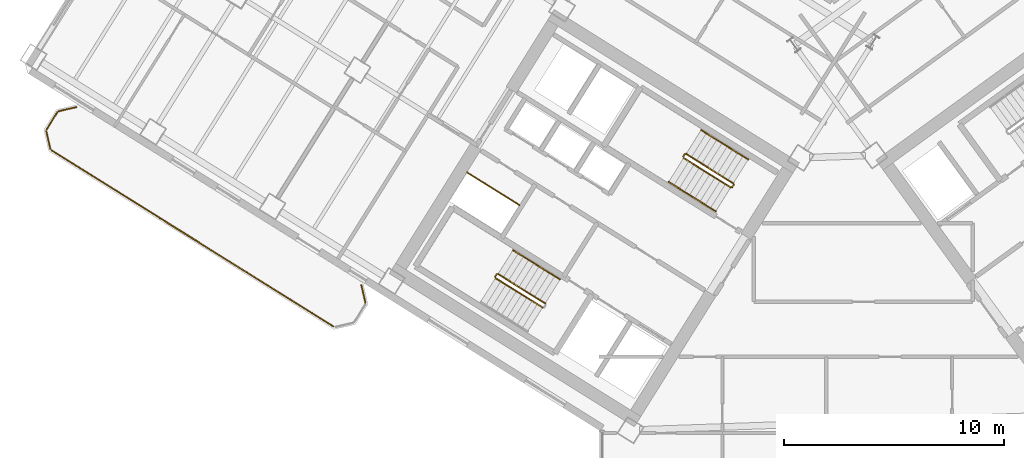
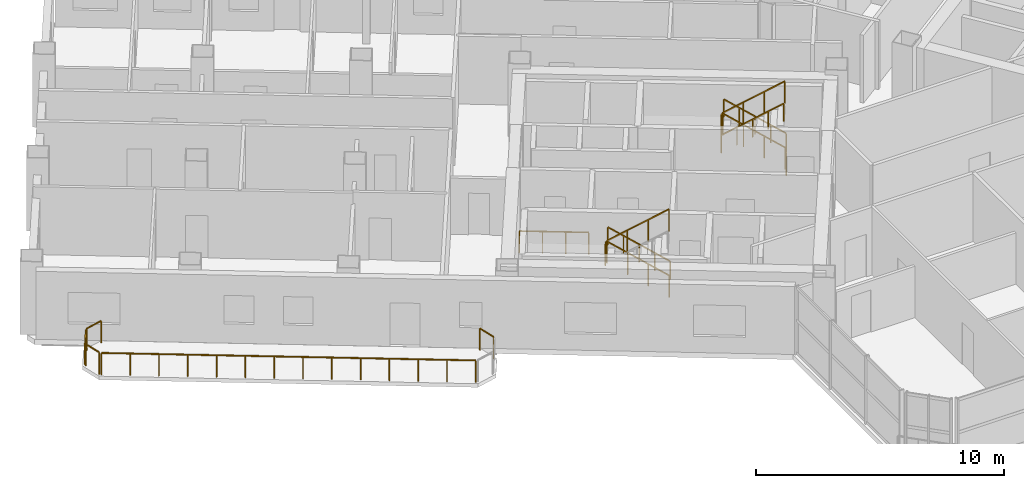
# One storey, part 18 of 20: 19 railings.
"""IFC4 building model written with IfcOpenShell, lengths in metres."""

import ifcopenshell
import ifcopenshell.guid

model = None  # the IFC model being written
_history = None  # IfcOwnerHistory: only IFC2X3 demands one
_inside = {}  # id of a spatial element -> (the spatial element, [elements in it])
_under = {}  # id of a project, library or spatial element -> (it, [spatial elements below it])
_declared = {}  # id of a project -> (the project, [libraries it declares])
_typed = {}  # id of a type object -> (the type object, [elements of that type])
_made_of = {}  # id of a material, layer set ... -> (it, [elements and type objects made of it])


def new_model(schema):
    """Start an empty IFC model of exactly this schema.

    Asked for "IFC4X3", IfcOpenShell would pick the latest addendum, in which some entities
    have other attributes; the version numbers below select the first issue.
    IFC2X3 requires an IfcOwnerHistory on every rooted entity: one is made here for all.
    """
    global model, _history
    if schema == "IFC4X3":
        model = ifcopenshell.file(schema_version=(4, 3, 0, 0))
    else:
        model = ifcopenshell.file(schema=schema)
    _inside.clear()
    _under.clear()
    _declared.clear()
    _typed.clear()
    _made_of.clear()
    _history = None
    if model.schema == "IFC2X3":
        org = make("IfcOrganization", Name="unknown")
        user = make(
            "IfcPersonAndOrganization",
            ThePerson=make("IfcPerson", FamilyName="unknown"),
            TheOrganization=org,
        )
        app = make(
            "IfcApplication",
            ApplicationDeveloper=org,
            Version="unknown",
            ApplicationFullName="unknown",
            ApplicationIdentifier="unknown",
        )
        _history = make(
            "IfcOwnerHistory",
            OwningUser=user,
            OwningApplication=app,
            ChangeAction="ADDED",
            CreationDate=0,
        )
    return model


def make(cls, **values):
    """One entity of the class cls with the attributes given. An attribute that is None is left unset."""
    return model.create_entity(
        cls, **{name: value for name, value in values.items() if value is not None}
    )


def rooted(cls, **values):
    """An entity with a GlobalId (a new one), such as an element, a storey or a relation."""
    return make(cls, GlobalId=ifcopenshell.guid.new(), OwnerHistory=_history, **values)


def si_unit(unit_type, name, prefix=None):
    """IfcSIUnit, for example si_unit("LENGTHUNIT", "METRE", prefix="MILLI")."""
    return make("IfcSIUnit", UnitType=unit_type, Prefix=prefix, Name=name)


def assignment(units):
    """IfcUnitAssignment: the units of a project."""
    return None if units is None else make("IfcUnitAssignment", Units=units)


def point(xyz):
    """IfcCartesianPoint."""
    return None if xyz is None else make("IfcCartesianPoint", Coordinates=xyz)


def direction(xyz):
    """IfcDirection."""
    return None if xyz is None else make("IfcDirection", DirectionRatios=xyz)


def frame(location, z_axis=None, x_axis=None):
    """IfcAxis2Placement3D, a coordinate frame: its origin and axes. An axis left out is left unset."""
    return make(
        "IfcAxis2Placement3D",
        Location=point(location),
        Axis=direction(z_axis),
        RefDirection=direction(x_axis),
    )


def frame_2d(location, x_axis=None):
    """IfcAxis2Placement2D, a coordinate frame in the plane: its origin and x axis."""
    return make(
        "IfcAxis2Placement2D", Location=point(location), RefDirection=direction(x_axis)
    )


def origin():
    """The frame at (0, 0, 0) with its axes left unset."""
    return frame((0.0, 0.0, 0.0))


def origin_2d():
    """The frame at (0, 0) in the plane with its x axis left unset."""
    return frame_2d((0.0, 0.0))


def place(relative_to, where):
    """IfcLocalPlacement: puts the frame where relative to a parent placement (None: the world)."""
    return make(
        "IfcLocalPlacement", PlacementRelTo=relative_to, RelativePlacement=where
    )


def context(
    kind, dimensions, precision=None, world=None, true_north=None, identifier=None
):
    """IfcGeometricRepresentationContext, for example the 3D "Model" context."""
    return make(
        "IfcGeometricRepresentationContext",
        ContextIdentifier=identifier,
        ContextType=kind,
        CoordinateSpaceDimension=dimensions,
        Precision=precision,
        WorldCoordinateSystem=world,
        TrueNorth=true_north,
    )


def subcontext(parent, identifier, kind, view, scale=None):
    """IfcGeometricRepresentationSubContext, for example "Body" below "Model"."""
    return make(
        "IfcGeometricRepresentationSubContext",
        ContextIdentifier=identifier,
        ContextType=kind,
        ParentContext=parent,
        TargetScale=scale,
        TargetView=view,
    )


def project(units=None, contexts=None):
    """IfcProject with its units and contexts."""
    return rooted(
        "IfcProject",
        Name="project",
        RepresentationContexts=contexts,
        UnitsInContext=assignment(units),
    )


def spatial(cls, under=None, at=None, **own):
    """A site, building, storey or space (cls), placed at a placement, below another one or the project."""
    s = rooted(cls, ObjectPlacement=at, **own)
    if under is not None:
        _under.setdefault(under.id(), (under, []))[1].append(s)
    return s


def profile(cls, at=None, kind="AREA", **sizes):
    """A parametric profile (cls). Its sizes go by their IFC names, for example OverallWidth=200.0."""
    return make(cls, ProfileType=kind, Position=at, **sizes)


def rectangle(**sizes):
    """IfcRectangleProfileDef."""
    return profile("IfcRectangleProfileDef", **sizes)


def extrude(swept, where, along, depth):
    """IfcExtrudedAreaSolid: the profile swept, set in the frame where, extruded along a direction by depth."""
    return make(
        "IfcExtrudedAreaSolid",
        SweptArea=swept,
        Position=where,
        ExtrudedDirection=direction(along),
        Depth=depth,
    )


def shape(context_of_items, identifier, shape_type, items):
    """IfcShapeRepresentation: the items that make up one representation, for example the "Body"."""
    return make(
        "IfcShapeRepresentation",
        ContextOfItems=context_of_items,
        RepresentationIdentifier=identifier,
        RepresentationType=shape_type,
        Items=items,
    )


def source(mapping_origin, context_of_items, identifier, shape_type, items):
    """IfcRepresentationMap: a shape defined once, which mapped items show again and again."""
    return make(
        "IfcRepresentationMap",
        MappingOrigin=mapping_origin,
        MappedRepresentation=shape(context_of_items, identifier, shape_type, items),
    )


def transform(
    local_origin,
    x_axis=None,
    y_axis=None,
    z_axis=None,
    scale=None,
    scale2=None,
    scale3=None,
    uniform=True,
):
    """IfcCartesianTransformationOperator3D, or its non-uniform kind. x_axis, y_axis, z_axis: its Axis1, 2, 3."""
    if uniform:
        return make(
            "IfcCartesianTransformationOperator3D",
            Axis1=direction(x_axis),
            Axis2=direction(y_axis),
            LocalOrigin=point(local_origin),
            Scale=scale,
            Axis3=direction(z_axis),
        )
    return make(
        "IfcCartesianTransformationOperator3DnonUniform",
        Axis1=direction(x_axis),
        Axis2=direction(y_axis),
        LocalOrigin=point(local_origin),
        Scale=scale,
        Axis3=direction(z_axis),
        Scale2=scale2,
        Scale3=scale3,
    )


def mapped(mapping_source, mapping_target):
    """IfcMappedItem: shows the shape of a source again, moved by a transform."""
    return make(
        "IfcMappedItem", MappingSource=mapping_source, MappingTarget=mapping_target
    )


def material(Name=None, Category=None):
    """IfcMaterial."""
    return make("IfcMaterial", Name=Name, Category=Category)


def made_of(thing, what):
    """Note that an element or type object is made of a material, layer set ...; save() writes the relation."""
    if what is not None:
        _made_of.setdefault(what.id(), (what, []))[1].append(thing)
    return thing


def type_object(cls, material=None, **own):
    """A type object (cls), such as IfcWallType, which elements share."""
    return made_of(rooted(cls, **own), material)


def element(
    cls,
    number,
    at=None,
    inside=None,
    cuts=None,
    type_object=None,
    material=None,
    context=None,
    identifier="Body",
    shape_type=None,
    held_by="IfcProductDefinitionShape",
    body=None,
    shapes=None,
    **own,
):
    """One element of the class cls, such as IfcWall. Its Tag is "e" and its number.

    at: its placement. inside: the storey or other place that contains it. cuts: it is an
    opening in that element (IfcRelVoidsElement). A single representation is given by context,
    identifier, shape_type and body (its items); several are given by shapes. held_by: the class
    of the entity that holds the representations. save() writes the other relations.
    """
    e = rooted(cls, Tag="e%d" % number, ObjectPlacement=at, **own)
    if body is not None:
        shapes = [shape(context, identifier, shape_type, body)]
    if shapes is not None:
        e.Representation = make(held_by, Representations=shapes)
    if inside is not None:
        _inside.setdefault(inside.id(), (inside, []))[1].append(e)
    if cuts is not None:
        rooted(
            "IfcRelVoidsElement", RelatingBuildingElement=cuts, RelatedOpeningElement=e
        )
    if type_object is not None:
        _typed.setdefault(type_object.id(), (type_object, []))[1].append(e)
    return made_of(e, material)


def aggregate(whole, parts):
    """IfcRelAggregates: a whole, such as a stair, and the parts it consists of."""
    return rooted("IfcRelAggregates", RelatingObject=whole, RelatedObjects=parts)


def save(model, path):
    """Write the relations noted so far, then the file.

    IfcRelAggregates (storeys below a building ...), IfcRelContainedInSpatialStructure (elements
    in a storey), IfcRelDefinesByType, IfcRelAssociatesMaterial and IfcRelDeclares: one each for
    every whole, place, type object, material and project.
    """
    for whole, parts in _under.values():
        aggregate(whole, parts)
    for where, things in _inside.values():
        rooted(
            "IfcRelContainedInSpatialStructure",
            RelatedElements=things,
            RelatingStructure=where,
        )
    for kind, things in _typed.values():
        rooted("IfcRelDefinesByType", RelatedObjects=things, RelatingType=kind)
    for what, things in _made_of.values():
        rooted("IfcRelAssociatesMaterial", RelatedObjects=things, RelatingMaterial=what)
    for by, libraries in _declared.values():
        rooted("IfcRelDeclares", RelatingContext=by, RelatedDefinitions=libraries)
    model.write(path)


model = new_model("IFC4")

# Units and contexts
model_context = context("Model", 3, precision=1e-05, world=origin(), true_north=direction((0.0, 1.0)))
body_context = subcontext(model_context, "Body", "Model", "MODEL_VIEW")
ifc_project = project(units=[si_unit("LENGTHUNIT", "METRE"), si_unit("AREAUNIT", "SQUARE_METRE"), si_unit("VOLUMEUNIT", "CUBIC_METRE"), si_unit("PLANEANGLEUNIT", "RADIAN"), si_unit("MASSUNIT", "GRAM", prefix="KILO")], contexts=[model_context])

# Site, building, storey
site_placement = place(None, origin())
site = spatial("IfcSite", under=ifc_project, at=site_placement, CompositionType="ELEMENT")
building_placement = place(site_placement, origin())
building = spatial("IfcBuilding", under=site, at=building_placement, Name="Tlacorven Tower", CompositionType="ELEMENT")
storey_placement = place(building_placement, frame((0.0, 0.0, 116.10009765625)))
storey = spatial("IfcBuildingStorey", under=building, at=storey_placement, Name="L29", CompositionType="ELEMENT", Elevation=116.10009765625)

# Railings
ifc_material = material(Name="Aluminium and painted steel balustrade", Category="steel")
railing_type_1 = type_object("IfcRailingType", Name="RL-GRD-1100", PredefinedType="GUARDRAIL", material=ifc_material)
shared_shape_1 = source(origin(), body_context, "Body", "SweptSolid", [
    extrude(rectangle(XDim=0.048095703125, YDim=0.048095703125, at=origin_2d()), frame((0.0, 0.0, 1.076171875), z_axis=(-0.848091358275, 0.529850024081, 0.0), x_axis=(-0.529850024081, -0.848091358275, 0.0)), (0.0, 0.0, 1.0), 2.800048828125),
    extrude(rectangle(XDim=0.0419921875, YDim=0.0419921875, at=origin_2d()), origin(), (0.0, 0.0, 1.0), 1.052001953125),
    extrude(rectangle(XDim=0.0419921875, YDim=0.0419921875, at=origin_2d()), frame((-0.79150390625, 0.49462890625, 0.0)), (0.0, 0.0, 1.0), 1.052001953125),
    extrude(rectangle(XDim=0.0419921875, YDim=0.0419921875, at=origin_2d()), frame((-1.583251953125, 0.989013671875, 0.0)), (0.0, 0.0, 1.0), 1.052001953125),
    extrude(rectangle(XDim=0.0419921875, YDim=0.0419921875, at=origin_2d()), frame((-2.374755859375, 1.483642578125, 0.0)), (0.0, 0.0, 1.0), 1.052001953125),
])
railing_1_placement = place(storey_placement, frame((27.9912109375, 22.32080078125, 0.0)))
element("IfcRailing", 1, at=railing_1_placement, inside=storey, type_object=railing_type_1, Name="L29 Electrical Riser W Shaft Guard 1", PredefinedType="GUARDRAIL", context=body_context, shape_type="MappedRepresentation", body=[
    mapped(shared_shape_1, transform((0.0, 0.0, 0.0), scale=1.0)),
])
railing_type_2 = type_object("IfcRailingType", Name="RL-BAL-1100", PredefinedType="BALUSTRADE", material=ifc_material)
shared_shape_2 = source(origin(), body_context, "Body", "SweptSolid", [
    extrude(rectangle(XDim=0.048095703125, YDim=0.048095703125, at=origin_2d()), frame((0.0, 0.0, 1.076171875), z_axis=(0.225058334816, -0.974345290916, 0.0), x_axis=(0.974345290916, 0.225058334816, 0.0)), (0.0, 0.0, 1.0), 0.80712890625),
    extrude(rectangle(XDim=0.0419921875, YDim=0.0419921875, at=origin_2d()), origin(), (0.0, 0.0, 1.0), 1.052001953125),
    extrude(rectangle(XDim=0.0419921875, YDim=0.0419921875, at=origin_2d()), frame((0.181640625, -0.786376953125, 0.0)), (0.0, 0.0, 1.0), 1.052001953125),
])
railing_2_placement = place(storey_placement, frame((20.809814453125, 18.671142578125, 0.0)))
element("IfcRailing", 2, at=railing_2_placement, inside=storey, type_object=railing_type_2, Name="BAL-L29-W-OUT Guard Railing 1", PredefinedType="BALUSTRADE", context=body_context, shape_type="MappedRepresentation", body=[
    mapped(shared_shape_2, transform((0.0, 0.0, 0.0), scale=1.0)),
])
shared_shape_3 = source(origin(), body_context, "Body", "SweptSolid", [
    extrude(rectangle(XDim=0.048095703125, YDim=0.048095703125, at=origin_2d()), frame((0.0, 0.0, 1.076171875), z_axis=(-0.225058334816, 0.974345290916, 0.0), x_axis=(-0.974345290916, -0.225058334816, 0.0)), (0.0, 0.0, 1.0), 0.80712890625),
    extrude(rectangle(XDim=0.0419921875, YDim=0.0419921875, at=origin_2d()), origin(), (0.0, 0.0, 1.0), 1.052001953125),
    extrude(rectangle(XDim=0.0419921875, YDim=0.0419921875, at=origin_2d()), frame((-0.181640625, 0.786376953125, 0.0)), (0.0, 0.0, 1.0), 1.052001953125),
])
railing_3_placement = place(storey_placement, frame((6.66650390625, 24.88623046875, 0.0)))
element("IfcRailing", 3, at=railing_3_placement, inside=storey, type_object=railing_type_2, Name="BAL-L29-W-OUT Guard Railing 5", PredefinedType="BALUSTRADE", context=body_context, shape_type="MappedRepresentation", body=[
    mapped(shared_shape_3, transform((0.0, 0.0, 0.0), scale=1.0)),
])
shared_shape_4 = source(origin(), body_context, "Body", "SweptSolid", [
    extrude(rectangle(XDim=0.048095703125, YDim=0.048095703125, at=origin_2d()), frame((0.0, 0.0, 1.076171875), z_axis=(0.974411586182, 0.224771129628, 0.0), x_axis=(-0.224771129628, 0.974411586182, 0.0)), (0.0, 0.0, 1.0), 0.80712890625),
    extrude(rectangle(XDim=0.0419921875, YDim=0.0419921875, at=origin_2d()), origin(), (0.0, 0.0, 1.0), 1.052001953125),
    extrude(rectangle(XDim=0.0419921875, YDim=0.0419921875, at=origin_2d()), frame((0.786376953125, 0.181396484375, 0.0)), (0.0, 0.0, 1.0), 1.052001953125),
])
railing_4_placement = place(storey_placement, frame((7.05859375, 26.591064453125, 0.0)))
element("IfcRailing", 4, at=railing_4_placement, inside=storey, type_object=railing_type_2, Name="BAL-L29-W-OUT Guard Railing 7", PredefinedType="BALUSTRADE", context=body_context, shape_type="MappedRepresentation", body=[
    mapped(shared_shape_4, transform((0.0, 0.0, 0.0), scale=1.0)),
])
shared_shape_5 = source(origin(), body_context, "Body", "SweptSolid", [
    extrude(rectangle(XDim=0.048095703125, YDim=0.048095703125, at=origin_2d()), frame((0.0, 0.0, 1.076171875), z_axis=(0.529998940003, 0.847998304005, 0.0), x_axis=(-0.847998304005, 0.529998940003, 0.0)), (0.0, 0.0, 1.0), 0.912109375),
    extrude(rectangle(XDim=0.0419921875, YDim=0.0419921875, at=origin_2d()), origin(), (0.0, 0.0, 1.0), 1.052001953125),
    extrude(rectangle(XDim=0.0419921875, YDim=0.0419921875, at=origin_2d()), frame((0.4833984375, 0.7734375, 0.0)), (0.0, 0.0, 1.0), 1.052001953125),
])
railing_5_placement = place(storey_placement, frame((6.5, 25.763916015625, 0.0)))
element("IfcRailing", 5, at=railing_5_placement, inside=storey, type_object=railing_type_2, Name="BAL-L29-W-OUT Guard Railing 6", PredefinedType="BALUSTRADE", context=body_context, shape_type="MappedRepresentation", body=[
    mapped(shared_shape_5, transform((0.0, 0.0, 0.0), scale=1.0)),
])
shared_shape_6 = source(origin(), body_context, "Body", "SweptSolid", [
    extrude(rectangle(XDim=0.048095703125, YDim=0.048095703125, at=origin_2d()), frame((0.0, 0.0, 1.076171875), z_axis=(-0.848051830527, 0.529913287944, 0.0), x_axis=(-0.529913287944, -0.848051830527, 0.0)), (0.0, 0.0, 1.0), 15.1171875),
    extrude(rectangle(XDim=0.0419921875, YDim=0.0419921875, at=origin_2d()), origin(), (0.0, 0.0, 1.0), 1.052001953125),
    extrude(rectangle(XDim=0.0419921875, YDim=0.0419921875, at=origin_2d()), frame((-0.986083984375, 0.6162109375, 0.0)), (0.0, 0.0, 1.0), 1.052001953125),
    extrude(rectangle(XDim=0.0419921875, YDim=0.0419921875, at=origin_2d()), frame((-1.972412109375, 1.232421875, 0.0)), (0.0, 0.0, 1.0), 1.052001953125),
    extrude(rectangle(XDim=0.0419921875, YDim=0.0419921875, at=origin_2d()), frame((-2.95849609375, 1.8486328125, 0.0)), (0.0, 0.0, 1.0), 1.052001953125),
    extrude(rectangle(XDim=0.0419921875, YDim=0.0419921875, at=origin_2d()), frame((-3.944580078125, 2.46484375, 0.0)), (0.0, 0.0, 1.0), 1.052001953125),
    extrude(rectangle(XDim=0.0419921875, YDim=0.0419921875, at=origin_2d()), frame((-4.930908203125, 3.0810546875, 0.0)), (0.0, 0.0, 1.0), 1.052001953125),
    extrude(rectangle(XDim=0.0419921875, YDim=0.0419921875, at=origin_2d()), frame((-5.9169921875, 3.697265625, 0.0)), (0.0, 0.0, 1.0), 1.052001953125),
    extrude(rectangle(XDim=0.0419921875, YDim=0.0419921875, at=origin_2d()), frame((-6.903076171875, 4.3134765625, 0.0)), (0.0, 0.0, 1.0), 1.052001953125),
    extrude(rectangle(XDim=0.0419921875, YDim=0.0419921875, at=origin_2d()), frame((-7.88916015625, 4.9296875, 0.0)), (0.0, 0.0, 1.0), 1.052001953125),
    extrude(rectangle(XDim=0.0419921875, YDim=0.0419921875, at=origin_2d()), frame((-8.87548828125, 5.5458984375, 0.0)), (0.0, 0.0, 1.0), 1.052001953125),
    extrude(rectangle(XDim=0.0419921875, YDim=0.0419921875, at=origin_2d()), frame((-9.861572265625, 6.162109375, 0.0)), (0.0, 0.0, 1.0), 1.052001953125),
    extrude(rectangle(XDim=0.0419921875, YDim=0.0419921875, at=origin_2d()), frame((-10.84765625, 6.7783203125, 0.0)), (0.0, 0.0, 1.0), 1.052001953125),
    extrude(rectangle(XDim=0.0419921875, YDim=0.0419921875, at=origin_2d()), frame((-11.833984375, 7.39453125, 0.0)), (0.0, 0.0, 1.0), 1.052001953125),
    extrude(rectangle(XDim=0.0419921875, YDim=0.0419921875, at=origin_2d()), frame((-12.820068359375, 8.0107421875, 0.0)), (0.0, 0.0, 1.0), 1.052001953125),
])
railing_6_placement = place(storey_placement, frame((19.5400390625, 16.80029296875, 0.0)))
element("IfcRailing", 6, at=railing_6_placement, inside=storey, type_object=railing_type_2, Name="BAL-L29-W-OUT Guard Railing 4", PredefinedType="BALUSTRADE", context=body_context, shape_type="MappedRepresentation", body=[
    mapped(shared_shape_6, transform((0.0, 0.0, 0.0), scale=1.0)),
])
shared_shape_7 = source(origin(), body_context, "Body", "SweptSolid", [
    extrude(rectangle(XDim=0.048095703125, YDim=0.048095703125, at=origin_2d()), frame((0.0, 0.0, 1.076171875), z_axis=(-0.530546985787, -0.847655529016, 0.0), x_axis=(0.847655529016, -0.530546985787, 0.0)), (0.0, 0.0, 1.0), 0.1201171875),
    extrude(rectangle(XDim=0.0419921875, YDim=0.0419921875, at=origin_2d()), origin(), (0.0, 0.0, 1.0), 1.052001953125),
    extrude(rectangle(XDim=0.0419921875, YDim=0.0419921875, at=origin_2d()), frame((-0.063720703125, -0.101806640625, 0.0)), (0.0, 0.0, 1.0), 1.052001953125),
])
for number, where, name in (
    (7, (26.954833984375, 19.17138671875, 1.7998046875), "L29 ST-W1 stair guard 2"),
    (8, (37.728271484375, 23.24072265625, 0.0), "L29 ST-W2 stair guard 4"),
):
    element("IfcRailing", number, at=place(storey_placement, frame(where)), inside=storey, type_object=railing_type_1, Name=name, PredefinedType="GUARDRAIL", context=body_context, shape_type="MappedRepresentation", body=[
        mapped(shared_shape_7, transform((0.0, 0.0, 0.0), scale=1.0)),
    ])
railing_type_3 = type_object("IfcRailingType", Name="RL-HND-0900", PredefinedType="HANDRAIL", material=ifc_material)
shared_shape_8 = source(origin(), body_context, "Body", "SweptSolid", [
    extrude(rectangle(XDim=0.048095703125, YDim=0.048095703125, at=origin_2d()), frame((0.0, 0.0, 0.8759765625), z_axis=(-0.713359751793, 0.4457479829, 0.540764828981), x_axis=(-0.529911857636, -0.848052724267, 0.0)), (0.0, 0.0, 1.0), 1.498046875),
    extrude(rectangle(XDim=0.0419921875, YDim=0.0419921875, at=origin_2d()), origin(), (0.0, 0.0, 1.0), 0.851806640625),
    extrude(rectangle(XDim=0.0419921875, YDim=0.0419921875, at=origin_2d()), frame((-0.5341796875, 0.333984375, 0.405029296875)), (0.0, 0.0, 1.0), 0.851806640625),
    extrude(rectangle(XDim=0.0419921875, YDim=0.0419921875, at=origin_2d()), frame((-1.068603515625, 0.667724609375, 0.81005859375)), (0.0, 0.0, 1.0), 0.851806640625),
])
for number, where, name in (
    (9, (29.839111328125, 18.937255859375, 0.179931640625), "L29 ST-W1 stair handrail 1"),
    (10, (38.390625, 24.39501953125, 0.179931640625), "L29 ST-W2 stair handrail 1"),
):
    element("IfcRailing", number, at=place(storey_placement, frame(where)), inside=storey, type_object=railing_type_3, Name=name, PredefinedType="HANDRAIL", context=body_context, shape_type="MappedRepresentation", body=[
        mapped(shared_shape_8, transform((0.0, 0.0, 0.0), scale=1.0)),
    ])
shared_shape_9 = source(origin(), body_context, "Body", "SweptSolid", [
    extrude(rectangle(XDim=0.048095703125, YDim=0.048095703125, at=origin_2d()), frame((0.0, 0.0, 0.8759765625), z_axis=(0.713359751793, -0.4457479829, 0.540764828981), x_axis=(0.529911857636, 0.848052724267, 0.0)), (0.0, 0.0, 1.0), 1.498046875),
    extrude(rectangle(XDim=0.0419921875, YDim=0.0419921875, at=origin_2d()), origin(), (0.0, 0.0, 1.0), 0.851806640625),
    extrude(rectangle(XDim=0.0419921875, YDim=0.0419921875, at=origin_2d()), frame((0.5341796875, -0.333984375, 0.405029296875)), (0.0, 0.0, 1.0), 0.851806640625),
    extrude(rectangle(XDim=0.0419921875, YDim=0.0419921875, at=origin_2d()), frame((1.068603515625, -0.667724609375, 0.81005859375)), (0.0, 0.0, 1.0), 0.851806640625),
])
railing_7_placement = place(storey_placement, frame((35.848876953125, 22.705078125, 2.789794921875)))
element("IfcRailing", 11, at=railing_7_placement, inside=storey, type_object=railing_type_3, Name="L29 ST-W2 stair handrail 4", PredefinedType="HANDRAIL", context=body_context, shape_type="MappedRepresentation", body=[
    mapped(shared_shape_9, transform((0.0, 0.0, 0.0), scale=1.0)),
])
shared_shape_10 = source(origin(), body_context, "Body", "SweptSolid", [
    extrude(rectangle(XDim=0.048095703125, YDim=0.048095703125, at=origin_2d()), frame((0.0, 0.0, 1.076171875), z_axis=(-0.713351164325, 0.445793541512, 0.540738601085), x_axis=(-0.529955395941, -0.84802551749, 0.0)), (0.0, 0.0, 1.0), 2.99560546875),
    extrude(rectangle(XDim=0.0419921875, YDim=0.0419921875, at=origin_2d()), origin(), (0.0, 0.0, 1.0), 1.052001953125),
    extrude(rectangle(XDim=0.0419921875, YDim=0.0419921875, at=origin_2d()), frame((-0.71240234375, 0.445068359375, 0.5400390625)), (0.0, 0.0, 1.0), 1.052001953125),
    extrude(rectangle(XDim=0.0419921875, YDim=0.0419921875, at=origin_2d()), frame((-1.424560546875, 0.890380859375, 1.079833984375)), (0.0, 0.0, 1.0), 1.052001953125),
    extrude(rectangle(XDim=0.0419921875, YDim=0.0419921875, at=origin_2d()), frame((-2.136962890625, 1.33544921875, 1.619873046875)), (0.0, 0.0, 1.0), 1.052001953125),
])
for number, where, name in (
    (12, (29.16064453125, 17.851806640625, 0.179931640625), "L29 ST-W1 stair guard 1"),
    (13, (37.712158203125, 23.3095703125, 0.179931640625), "L29 ST-W2 stair guard 1"),
):
    element("IfcRailing", number, at=place(storey_placement, frame(where)), inside=storey, type_object=railing_type_1, Name=name, PredefinedType="GUARDRAIL", context=body_context, shape_type="MappedRepresentation", body=[
        mapped(shared_shape_10, transform((0.0, 0.0, 0.0), scale=1.0)),
    ])
shared_shape_11 = source(origin(), body_context, "Body", "SweptSolid", [
    extrude(rectangle(XDim=0.048095703125, YDim=0.048095703125, at=origin_2d()), frame((0.0, 0.0, 1.076171875), z_axis=(0.71339118691, -0.44576762536, 0.540707165313), x_axis=(0.529911857636, 0.848052724267, 0.0)), (0.0, 0.0, 1.0), 2.995849609375),
    extrude(rectangle(XDim=0.0419921875, YDim=0.0419921875, at=origin_2d()), origin(), (0.0, 0.0, 1.0), 1.052001953125),
    extrude(rectangle(XDim=0.0419921875, YDim=0.0419921875, at=origin_2d()), frame((0.71240234375, -0.445068359375, 0.5400390625)), (0.0, 0.0, 1.0), 1.052001953125),
    extrude(rectangle(XDim=0.0419921875, YDim=0.0419921875, at=origin_2d()), frame((1.4248046875, -0.890380859375, 1.079833984375)), (0.0, 0.0, 1.0), 1.052001953125),
    extrude(rectangle(XDim=0.0419921875, YDim=0.0419921875, at=origin_2d()), frame((2.13720703125, -1.33544921875, 1.619873046875)), (0.0, 0.0, 1.0), 1.052001953125),
])
railing_8_placement = place(storey_placement, frame((26.906982421875, 19.000732421875, 1.97998046875)))
element("IfcRailing", 14, at=railing_8_placement, inside=storey, type_object=railing_type_1, Name="L29 ST-W1 stair guard 3", PredefinedType="GUARDRAIL", context=body_context, shape_type="MappedRepresentation", body=[
    mapped(shared_shape_11, transform((0.0, 0.0, 0.0), scale=1.0)),
])
shared_shape_12 = source(origin(), body_context, "Body", "SweptSolid", [
    extrude(rectangle(XDim=0.048095703125, YDim=0.048095703125, at=origin_2d()), frame((0.0, 0.0, 0.8759765625), z_axis=(-0.713422621445, 0.445787267455, 0.540649494022), x_axis=(-0.529911857636, -0.848052724267, 0.0)), (0.0, 0.0, 1.0), 1.497802734375),
    extrude(rectangle(XDim=0.0419921875, YDim=0.0419921875, at=origin_2d()), origin(), (0.0, 0.0, 1.0), 0.851806640625),
    extrude(rectangle(XDim=0.0419921875, YDim=0.0419921875, at=origin_2d()), frame((-0.5341796875, 0.333984375, 0.40478515625)), (0.0, 0.0, 1.0), 0.851806640625),
    extrude(rectangle(XDim=0.0419921875, YDim=0.0419921875, at=origin_2d()), frame((-1.068603515625, 0.667724609375, 0.809814453125)), (0.0, 0.0, 1.0), 0.851806640625),
])
for number, where, name in (
    (15, (28.7705078125, 19.60498046875, 0.989990234375), "L29 ST-W1 stair handrail 2"),
    (16, (37.322021484375, 25.062744140625, 0.989990234375), "L29 ST-W2 stair handrail 2"),
):
    element("IfcRailing", number, at=place(storey_placement, frame(where)), inside=storey, type_object=railing_type_3, Name=name, PredefinedType="HANDRAIL", context=body_context, shape_type="MappedRepresentation", body=[
        mapped(shared_shape_12, transform((0.0, 0.0, 0.0), scale=1.0)),
    ])
shared_shape_13 = source(origin(), body_context, "Body", "SweptSolid", [
    extrude(rectangle(XDim=0.048095703125, YDim=0.048095703125, at=origin_2d()), frame((0.0, 0.0, 0.8759765625), z_axis=(0.713422621445, -0.445787267455, 0.540649494022), x_axis=(0.529911857636, 0.848052724267, 0.0)), (0.0, 0.0, 1.0), 1.497802734375),
    extrude(rectangle(XDim=0.0419921875, YDim=0.0419921875, at=origin_2d()), origin(), (0.0, 0.0, 1.0), 0.851806640625),
    extrude(rectangle(XDim=0.0419921875, YDim=0.0419921875, at=origin_2d()), frame((0.5341796875, -0.333984375, 0.40478515625)), (0.0, 0.0, 1.0), 0.851806640625),
    extrude(rectangle(XDim=0.0419921875, YDim=0.0419921875, at=origin_2d()), frame((1.068603515625, -0.667724609375, 0.809814453125)), (0.0, 0.0, 1.0), 0.851806640625),
])
railing_9_placement = place(storey_placement, frame((34.7802734375, 23.372802734375, 1.97998046875)))
element("IfcRailing", 17, at=railing_9_placement, inside=storey, type_object=railing_type_3, Name="L29 ST-W2 stair handrail 3", PredefinedType="HANDRAIL", context=body_context, shape_type="MappedRepresentation", body=[
    mapped(shared_shape_13, transform((0.0, 0.0, 0.0), scale=1.0)),
])
shared_shape_14 = source(origin(), body_context, "Body", "SweptSolid", [
    extrude(rectangle(XDim=0.048095703125, YDim=0.048095703125, at=origin_2d()), frame((0.0, 0.0, 1.076171875), z_axis=(-0.531462422766, -0.847081869236, 0.0), x_axis=(0.847081869236, -0.531462422766, 0.0)), (0.0, 0.0, 1.0), 0.119873046875),
    extrude(rectangle(XDim=0.0419921875, YDim=0.0419921875, at=origin_2d()), origin(), (0.0, 0.0, 1.0), 1.052001953125),
    extrude(rectangle(XDim=0.0419921875, YDim=0.0419921875, at=origin_2d()), frame((-0.063720703125, -0.1015625, 0.0)), (0.0, 0.0, 1.0), 1.052001953125),
])
railing_10_placement = place(storey_placement, frame((35.50634765625, 24.62890625, 1.7998046875)))
element("IfcRailing", 18, at=railing_10_placement, inside=storey, type_object=railing_type_1, Name="L29 ST-W2 stair guard 2", PredefinedType="GUARDRAIL", context=body_context, shape_type="MappedRepresentation", body=[
    mapped(shared_shape_14, transform((0.0, 0.0, 0.0), scale=1.0)),
])
shared_shape_15 = source(origin(), body_context, "Body", "SweptSolid", [
    extrude(rectangle(XDim=0.048095703125, YDim=0.048095703125, at=origin_2d()), frame((0.0, 0.0, 1.076171875), z_axis=(0.713417101326, -0.445702322042, 0.540726806865), x_axis=(0.52984217967, 0.848096259066, 0.0)), (0.0, 0.0, 1.0), 2.995849609375),
    extrude(rectangle(XDim=0.0419921875, YDim=0.0419921875, at=origin_2d()), origin(), (0.0, 0.0, 1.0), 1.052001953125),
    extrude(rectangle(XDim=0.0419921875, YDim=0.0419921875, at=origin_2d()), frame((0.71240234375, -0.445068359375, 0.5400390625)), (0.0, 0.0, 1.0), 1.052001953125),
    extrude(rectangle(XDim=0.0419921875, YDim=0.0419921875, at=origin_2d()), frame((1.4248046875, -0.89013671875, 1.079833984375)), (0.0, 0.0, 1.0), 1.052001953125),
    extrude(rectangle(XDim=0.0419921875, YDim=0.0419921875, at=origin_2d()), frame((2.13720703125, -1.335205078125, 1.619873046875)), (0.0, 0.0, 1.0), 1.052001953125),
])
railing_11_placement = place(storey_placement, frame((35.45849609375, 24.458251953125, 1.97998046875)))
element("IfcRailing", 19, at=railing_11_placement, inside=storey, type_object=railing_type_1, Name="L29 ST-W2 stair guard 3", PredefinedType="GUARDRAIL", context=body_context, shape_type="MappedRepresentation", body=[
    mapped(shared_shape_15, transform((0.0, 0.0, 0.0), scale=1.0)),
])

save(model, "model.ifc")
